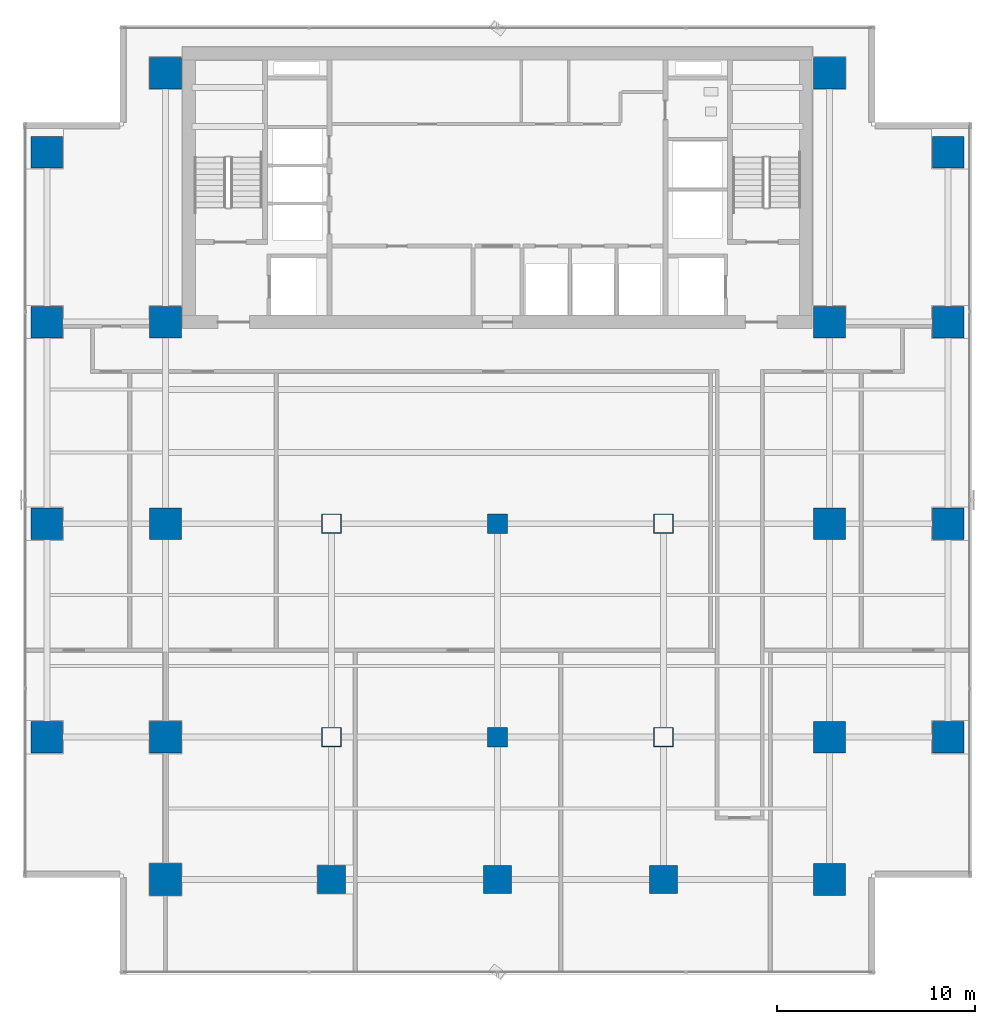
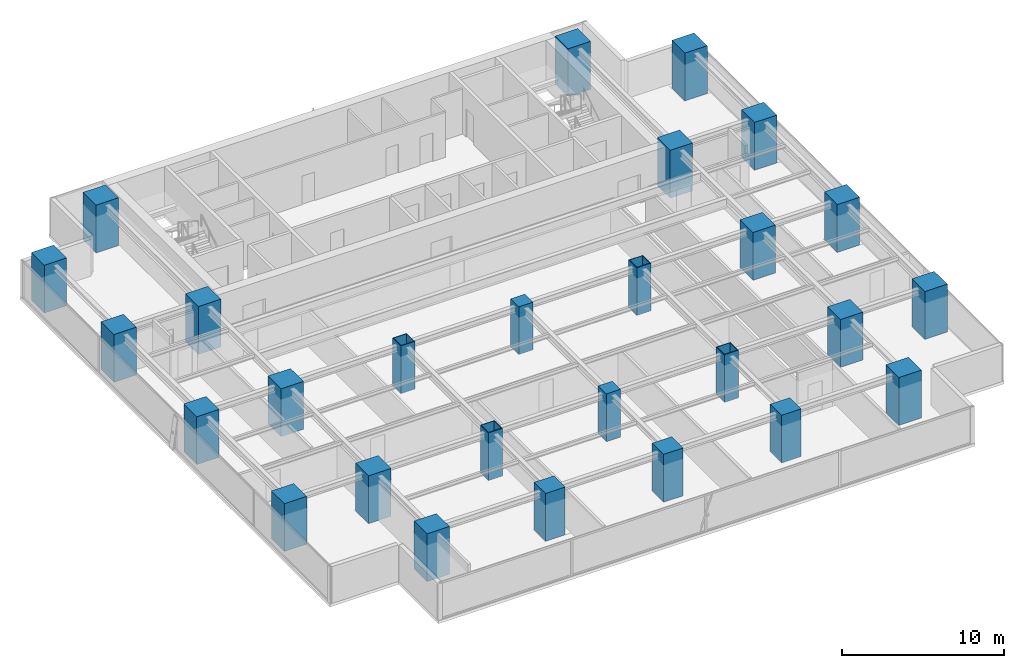
# One storey, part 1 of 28: 27 columns.
"""IFC4 building model written with IfcOpenShell, lengths in metres."""

from ifc_helpers import new_model, si_unit, direction, frame, origin, origin_2d, place, context, subcontext, project, spatial, rectangle, hollow_rectangle, extrude, source, transform, mapped, material, material_profile, profile_set, type_object, element, save


model = new_model("IFC4")

# Units and contexts
model_context = context("Model", 3, precision=1e-05, world=origin(), true_north=direction((0.0, 1.0)))
body_context = subcontext(model_context, "Body", "Model", "MODEL_VIEW")
ifc_project = project(units=[si_unit("LENGTHUNIT", "METRE"), si_unit("AREAUNIT", "SQUARE_METRE"), si_unit("VOLUMEUNIT", "CUBIC_METRE"), si_unit("PLANEANGLEUNIT", "RADIAN"), si_unit("MASSUNIT", "GRAM", prefix="KILO")], contexts=[model_context])

# Site, building, storey
site_placement = place(None, origin())
site = spatial("IfcSite", under=ifc_project, at=site_placement, CompositionType="ELEMENT")
building_placement = place(site_placement, origin())
building = spatial("IfcBuilding", under=site, at=building_placement, Name="Sumidabori Civic Tower", CompositionType="ELEMENT")
storey_placement = place(building_placement, frame((0.0, 0.0, 171.199951171875)))
storey = spatial("IfcBuildingStorey", under=building, at=storey_placement, Name="L44", CompositionType="ELEMENT", Elevation=171.199951171875)

# Columns
ifc_material_1 = material(Name="Concrete C60/75", Category="concrete")
ifc_material_profile_1 = material_profile(ifc_material_1, rectangle(XDim=1.60009765625, YDim=1.60009765625, at=origin_2d()), Name="RC 1600x1600")
ifc_profile_set_1 = profile_set([ifc_material_profile_1], Name="Concrete C60/75")
column_type_1 = type_object("IfcColumnType", Name="CL-MEGA-1600", PredefinedType="COLUMN", material=ifc_profile_set_1)
shared_shape_1 = source(origin(), body_context, "Body", "SweptSolid", [
    extrude(rectangle(XDim=1.60009765625, YDim=1.60009765625, at=origin_2d()), origin(), (0.0, 0.0, 1.0), 3.60009765625),
])
for number, where, z_axis, x_axis, name in (
    (1, (-16.800048828125, -18.0, 0.0), (0.0, 0.0, 1.0), (1.0, 0.0, 0.0), "Column MC-W16-Y18S L44"),
    (2, (-16.800048828125, -10.800048828125, 0.0), (0.0, 0.0, 1.0), (1.0, 0.0, 0.0), "Column MC-W16-Y11S L44"),
    (3, (-16.800048828125, 0.0, 0.0), (0.0, 0.0, 1.0), (1.0, 0.0, 0.0), "Column MC-W16-Y00 L44"),
    (4, (-16.800048828125, 10.199951171875, 0.0), (0.0, 0.0, 1.0), (1.0, 0.0, 0.0), "Column MC-W16-Y10N L44"),
    (5, (-16.800048828125, 22.800048828125, 0.0), (0.0, 0.0, 1.0), (1.0, 0.0, 0.0), "Column MC-W16-Y23N L44"),
    (6, (16.800048828125, -18.0, 0.0), (0.0, 0.0, 1.0), (1.0, 0.0, 0.0), "Column MC-E16-Y18S L44"),
    (7, (16.800048828125, -10.800048828125, 0.0), (0.0, 0.0, 1.0), (1.0, 0.0, 0.0), "Column MC-E16-Y11S L44"),
    (8, (16.800048828125, 0.0, 0.0), (0.0, 0.0, 1.0), (1.0, 0.0, 0.0), "Column MC-E16-Y00 L44"),
    (9, (16.800048828125, 10.199951171875, 0.0), (0.0, 0.0, 1.0), (1.0, 0.0, 0.0), "Column MC-E16-Y10N L44"),
    (10, (16.800048828125, 22.800048828125, 0.0), (0.0, 0.0, 1.0), (1.0, 0.0, 0.0), "Column MC-E16-Y23N L44"),
    (11, (-22.800048828125, -10.800048828125, 0.0), (0.0, 0.0, 1.0), (1.0, 0.0, 0.0), "Column MC-W23-Y11S L44"),
    (12, (-22.800048828125, 0.0, 0.0), (0.0, 0.0, 1.0), (1.0, 0.0, 0.0), "Column MC-W23-Y00 L44"),
    (13, (-22.800048828125, 10.199951171875, 0.0), (0.0, 0.0, 1.0), (1.0, 0.0, 0.0), "Column MC-W23-Y10N L44"),
    (14, (-22.800048828125, 18.800048828125, 0.0), (0.0, 0.0, 1.0), (1.0, 0.0, 0.0), "Column MC-W23-Y19N L44"),
    (15, (22.800048828125, -10.800048828125, 0.0), (0.0, 0.0, 1.0), (1.0, 0.0, 0.0), "Column MC-E23-Y11S L44"),
    (16, (22.800048828125, 0.0, 0.0), (0.0, 0.0, 1.0), (1.0, 0.0, 0.0), "Column MC-E23-Y00 L44"),
    (17, (22.800048828125, 10.199951171875, 0.0), (0.0, 0.0, 1.0), (1.0, 0.0, 0.0), "Column MC-E23-Y10N L44"),
    (18, (22.800048828125, 18.800048828125, 0.0), (0.0, 0.0, 1.0), (1.0, 0.0, 0.0), "Column MC-E23-Y19N L44"),
):
    element("IfcColumn", number, at=place(storey_placement, frame(where, z_axis=z_axis, x_axis=x_axis)), inside=storey, type_object=column_type_1, Name=name, PredefinedType="COLUMN", context=body_context, shape_type="MappedRepresentation", body=[
        mapped(shared_shape_1, transform((0.0, 0.0, 0.0), x_axis=(1.0, 0.0, 0.0), y_axis=(0.0, 1.0, 0.0), z_axis=(0.0, 0.0, 1.0), scale=1.0)),
    ])
ifc_material_2 = material(Name="Steel SM570", Category="steel")
ifc_material_profile_2 = material_profile(ifc_material_2, hollow_rectangle(XDim=1.0, YDim=1.0, WallThickness=0.044921875, at=origin_2d()), Name="SHS 1000x1000x45")
ifc_profile_set_2 = profile_set([ifc_material_profile_2], Name="Steel SM570")
column_type_2 = type_object("IfcColumnType", Name="CL-PORTAL-SHS1000", PredefinedType="COLUMN", material=ifc_profile_set_2)
shared_shape_2 = source(origin(), body_context, "Body", "SweptSolid", [
    extrude(hollow_rectangle(XDim=1.0, YDim=1.0, WallThickness=0.044921875, at=origin_2d()), origin(), (0.0, 0.0, 1.0), 3.60009765625),
])
for number, where, z_axis, x_axis, name in (
    (19, (-8.39990234375, 0.0, 0.0), (0.0, 0.0, 1.0), (1.0, 0.0, 0.0), "Column MC-W08-Y00 L44"),
    (20, (-8.39990234375, -10.800048828125, 0.0), (0.0, 0.0, 1.0), (1.0, 0.0, 0.0), "Column MC-W08-Y11S L44"),
    (21, (8.39990234375, 0.0, 0.0), (0.0, 0.0, 1.0), (1.0, 0.0, 0.0), "Column MC-E08-Y00 L44"),
    (22, (8.39990234375, -10.800048828125, 0.0), (0.0, 0.0, 1.0), (1.0, 0.0, 0.0), "Column MC-E08-Y11S L44"),
):
    element("IfcColumn", number, at=place(storey_placement, frame(where, z_axis=z_axis, x_axis=x_axis)), inside=storey, type_object=column_type_2, Name=name, PredefinedType="COLUMN", context=body_context, shape_type="MappedRepresentation", body=[
        mapped(shared_shape_2, transform((0.0, 0.0, 0.0), x_axis=(1.0, 0.0, 0.0), y_axis=(0.0, 1.0, 0.0), z_axis=(0.0, 0.0, 1.0), scale=1.0)),
    ])
ifc_material_profile_3 = material_profile(ifc_material_1, rectangle(XDim=1.39990234375, YDim=1.39990234375, at=origin_2d()), Name="RC 1400x1400")
ifc_profile_set_3 = profile_set([ifc_material_profile_3], Name="Concrete C60/75")
column_type_3 = type_object("IfcColumnType", Name="CL-MEGA-1400", PredefinedType="COLUMN", material=ifc_profile_set_3)
shared_shape_3 = source(origin(), body_context, "Body", "SweptSolid", [
    extrude(rectangle(XDim=1.39990234375, YDim=1.39990234375, at=origin_2d()), origin(), (0.0, 0.0, 1.0), 3.60009765625),
])
for number, where, z_axis, x_axis, name in (
    (23, (-8.39990234375, -18.0, 0.0), (0.0, 0.0, 1.0), (1.0, 0.0, 0.0), "Column MC-W08-Y18S L44"),
    (24, (8.39990234375, -18.0, 0.0), (0.0, 0.0, 1.0), (1.0, 0.0, 0.0), "Column MC-E08-Y18S L44"),
    (25, (0.0, -18.0, 0.0), (0.0, 0.0, 1.0), (1.0, 0.0, 0.0), "Column MC-C00-Y18S L44"),
):
    element("IfcColumn", number, at=place(storey_placement, frame(where, z_axis=z_axis, x_axis=x_axis)), inside=storey, type_object=column_type_3, Name=name, PredefinedType="COLUMN", context=body_context, shape_type="MappedRepresentation", body=[
        mapped(shared_shape_3, transform((0.0, 0.0, 0.0), x_axis=(1.0, 0.0, 0.0), y_axis=(0.0, 1.0, 0.0), z_axis=(0.0, 0.0, 1.0), scale=1.0)),
    ])
ifc_material_3 = material(Name="Concrete C50/60", Category="concrete")
ifc_material_profile_4 = material_profile(ifc_material_3, rectangle(XDim=1.0, YDim=1.0, at=origin_2d()), Name="RC 1000x1000")
ifc_profile_set_4 = profile_set([ifc_material_profile_4], Name="Concrete C50/60")
column_type_4 = type_object("IfcColumnType", Name="CL-INT-1000", PredefinedType="COLUMN", material=ifc_profile_set_4)
shared_shape_4 = source(origin(), body_context, "Body", "SweptSolid", [
    extrude(rectangle(XDim=1.0, YDim=1.0, at=origin_2d()), origin(), (0.0, 0.0, 1.0), 3.60009765625),
])
for number, where, z_axis, x_axis, name in (
    (26, (0.0, -10.800048828125, 0.0), (0.0, 0.0, 1.0), (1.0, 0.0, 0.0), "Column MC-C00-Y11S L44"),
    (27, (0.0, 0.0, 0.0), (0.0, 0.0, 1.0), (1.0, 0.0, 0.0), "Column MC-C00-Y00 L44"),
):
    element("IfcColumn", number, at=place(storey_placement, frame(where, z_axis=z_axis, x_axis=x_axis)), inside=storey, type_object=column_type_4, Name=name, PredefinedType="COLUMN", context=body_context, shape_type="MappedRepresentation", body=[
        mapped(shared_shape_4, transform((0.0, 0.0, 0.0), x_axis=(1.0, 0.0, 0.0), y_axis=(0.0, 1.0, 0.0), z_axis=(0.0, 0.0, 1.0), scale=1.0)),
    ])

save(model, "model.ifc")
